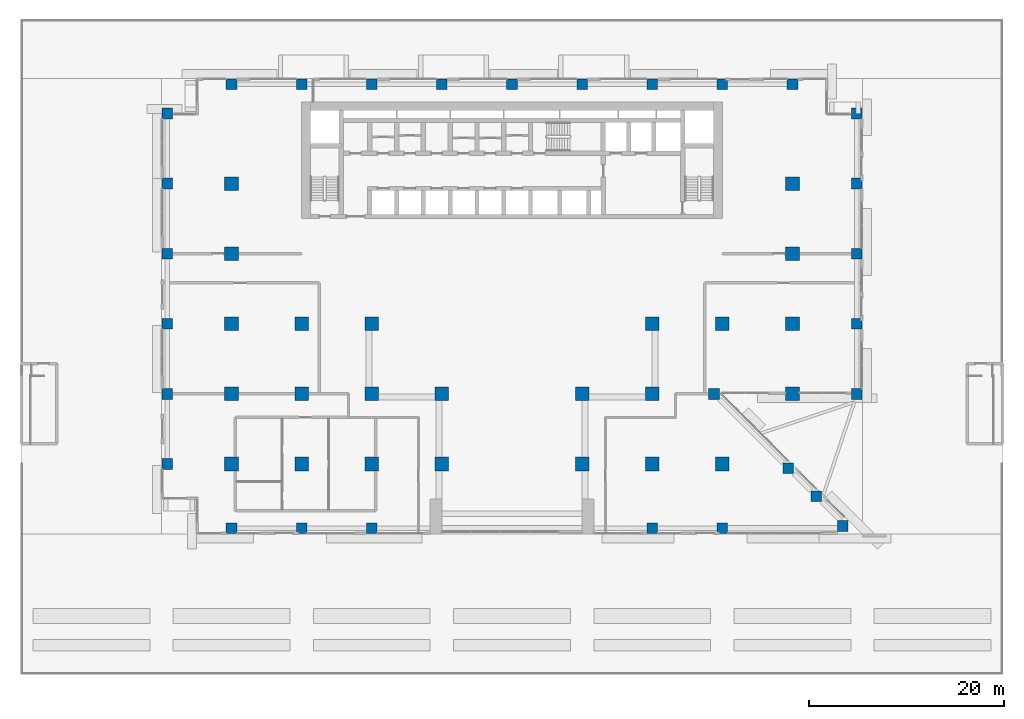
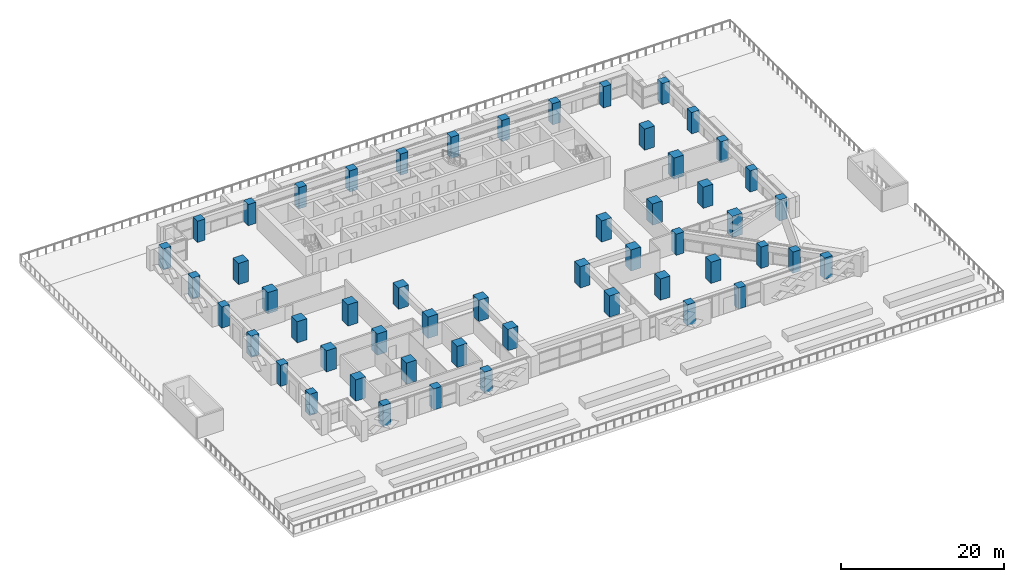
# One storey, part 1 of 24: 53 columns.
"""IFC4 building model written with IfcOpenShell, lengths in metres."""

from ifc_helpers import new_model, si_unit, direction, frame, origin, origin_2d, place, context, subcontext, project, spatial, rectangle, extrude, source, transform, mapped, material, material_profile, profile_set, type_object, element, save


model = new_model("IFC4")

# Units and contexts
model_context = context("Model", 3, precision=1e-05, world=origin(), true_north=direction((0.0, 1.0)))
body_context = subcontext(model_context, "Body", "Model", "MODEL_VIEW")
ifc_project = project(units=[si_unit("LENGTHUNIT", "METRE"), si_unit("AREAUNIT", "SQUARE_METRE"), si_unit("VOLUMEUNIT", "CUBIC_METRE"), si_unit("PLANEANGLEUNIT", "RADIAN"), si_unit("MASSUNIT", "GRAM", prefix="KILO")], contexts=[model_context])

# Site, building, storey
site_placement = place(None, origin())
site = spatial("IfcSite", under=ifc_project, at=site_placement, CompositionType="ELEMENT")
building_placement = place(site_placement, origin())
building = spatial("IfcBuilding", under=site, at=building_placement, Name="Saffron Iwan Residences", CompositionType="ELEMENT")
storey_placement = place(building_placement, frame((0.0, 0.0, 27.0)))
storey = spatial("IfcBuildingStorey", under=building, at=storey_placement, Name="L05", CompositionType="ELEMENT", Elevation=27.0)

# Columns
ifc_material = material(Name="Concrete C60/75", Category="concrete")
ifc_material_profile_1 = material_profile(ifc_material, rectangle(XDim=1.10009765625, YDim=1.10009765625, at=origin_2d()), Name="RC 1100x1100")
ifc_profile_set_1 = profile_set([ifc_material_profile_1], Name="Concrete C60/75")
column_type_1 = type_object("IfcColumnType", Name="COL RC 1100x1100 C60/75 3180 HIGH", PredefinedType="COLUMN", material=ifc_profile_set_1)
shared_shape_1 = source(origin(), body_context, "Body", "SweptSolid", [
    extrude(rectangle(XDim=1.10009765625, YDim=1.10009765625, at=origin_2d()), origin(), (0.0, 0.0, 1.0), 3.179931640625),
])
for number, where, z_axis, x_axis, name in (
    (1, (21.60009765625, 34.199951171875, 0.0), (0.0, 0.0, 1.0), (1.0, 0.0, 0.0), "Column C038"),
    (2, (28.800048828125, 34.199951171875, 0.0), (0.0, 0.0, 1.0), (1.0, 0.0, 0.0), "Column C039"),
    (3, (36.0, 34.199951171875, 0.0), (0.0, 0.0, 1.0), (1.0, 0.0, 0.0), "Column C040"),
    (4, (64.800048828125, 34.199951171875, 0.0), (0.0, 0.0, 1.0), (1.0, 0.0, 0.0), "Column C041"),
    (5, (72.0, 34.199951171875, 0.0), (0.0, 0.0, 1.0), (1.0, 0.0, 0.0), "Column C042"),
    (6, (84.367431640625, 34.44189453125, 0.0), (0.0, 0.0, 1.0), (1.0, 0.0, 0.0), "Column C043"),
    (7, (81.65576171875, 37.49560546875, 0.0), (0.0, 0.0, 1.0), (1.0, 0.0, 0.0), "Column C044"),
    (8, (78.775634765625, 40.375732421875, 0.0), (0.0, 0.0, 1.0), (1.0, 0.0, 0.0), "Column C047"),
    (9, (15.0, 40.800048828125, 0.0), (0.0, 0.0, 1.0), (1.0, 0.0, 0.0), "Column C048"),
    (10, (15.0, 48.0, 0.0), (0.0, 0.0, 1.0), (1.0, 0.0, 0.0), "Column C061"),
    (11, (71.14990234375, 48.0, 0.0), (0.0, 0.0, 1.0), (1.0, 0.0, 0.0), "Column C070"),
    (12, (85.800048828125, 48.0, 0.0), (0.0, 0.0, 1.0), (1.0, 0.0, 0.0), "Column C074"),
    (13, (15.0, 55.199951171875, 0.0), (0.0, 0.0, 1.0), (1.0, 0.0, 0.0), "Column C077"),
    (14, (85.800048828125, 55.199951171875, 0.0), (0.0, 0.0, 1.0), (1.0, 0.0, 0.0), "Column C086"),
    (15, (15.0, 62.39990234375, 0.0), (0.0, 0.0, 1.0), (1.0, 0.0, 0.0), "Column C089"),
    (16, (85.800048828125, 62.39990234375, 0.0), (0.0, 0.0, 1.0), (1.0, 0.0, 0.0), "Column C094"),
    (17, (15.0, 69.60009765625, 0.0), (0.0, 0.0, 1.0), (1.0, 0.0, 0.0), "Column C097"),
    (18, (85.800048828125, 69.60009765625, 0.0), (0.0, 0.0, 1.0), (1.0, 0.0, 0.0), "Column C102"),
    (19, (15.0, 76.800048828125, 0.0), (0.0, 0.0, 1.0), (1.0, 0.0, 0.0), "Column C105"),
    (20, (85.800048828125, 76.800048828125, 0.0), (0.0, 0.0, 1.0), (1.0, 0.0, 0.0), "Column C110"),
    (21, (21.60009765625, 79.800048828125, 0.0), (0.0, 0.0, 1.0), (1.0, 0.0, 0.0), "Column C113"),
    (22, (28.800048828125, 79.800048828125, 0.0), (0.0, 0.0, 1.0), (1.0, 0.0, 0.0), "Column C115"),
    (23, (36.0, 79.800048828125, 0.0), (0.0, 0.0, 1.0), (1.0, 0.0, 0.0), "Column C116"),
    (24, (43.199951171875, 79.800048828125, 0.0), (0.0, 0.0, 1.0), (1.0, 0.0, 0.0), "Column C117"),
    (25, (50.39990234375, 79.800048828125, 0.0), (0.0, 0.0, 1.0), (1.0, 0.0, 0.0), "Column C118"),
    (26, (57.60009765625, 79.800048828125, 0.0), (0.0, 0.0, 1.0), (1.0, 0.0, 0.0), "Column C119"),
    (27, (64.800048828125, 79.800048828125, 0.0), (0.0, 0.0, 1.0), (1.0, 0.0, 0.0), "Column C120"),
    (28, (72.0, 79.800048828125, 0.0), (0.0, 0.0, 1.0), (1.0, 0.0, 0.0), "Column C121"),
    (29, (79.199951171875, 79.800048828125, 0.0), (0.0, 0.0, 1.0), (1.0, 0.0, 0.0), "Column C123"),
):
    element("IfcColumn", number, at=place(storey_placement, frame(where, z_axis=z_axis, x_axis=x_axis)), inside=storey, type_object=column_type_1, Name=name, PredefinedType="COLUMN", context=body_context, shape_type="MappedRepresentation", body=[
        mapped(shared_shape_1, transform((0.0, 0.0, 0.0))),
    ])
ifc_material_profile_2 = material_profile(ifc_material, rectangle(XDim=1.39990234375, YDim=1.39990234375, at=origin_2d()), Name="RC 1400x1400")
ifc_profile_set_2 = profile_set([ifc_material_profile_2], Name="Concrete C60/75")
column_type_2 = type_object("IfcColumnType", Name="COL RC 1400x1400 C60/75 3180 HIGH", PredefinedType="COLUMN", material=ifc_profile_set_2)
shared_shape_2 = source(origin(), body_context, "Body", "SweptSolid", [
    extrude(rectangle(XDim=1.39990234375, YDim=1.39990234375, at=origin_2d()), origin(), (0.0, 0.0, 1.0), 3.179931640625),
])
for number, where, z_axis, x_axis, name in (
    (30, (21.60009765625, 40.800048828125, 0.0), (0.0, 0.0, 1.0), (1.0, 0.0, 0.0), "Column C049"),
    (31, (28.800048828125, 40.800048828125, 0.0), (0.0, 0.0, 1.0), (1.0, 0.0, 0.0), "Column C051"),
    (32, (36.0, 40.800048828125, 0.0), (0.0, 0.0, 1.0), (1.0, 0.0, 0.0), "Column C052"),
    (33, (43.199951171875, 40.800048828125, 0.0), (0.0, 0.0, 1.0), (1.0, 0.0, 0.0), "Column C053"),
    (34, (57.60009765625, 40.800048828125, 0.0), (0.0, 0.0, 1.0), (1.0, 0.0, 0.0), "Column C054"),
    (35, (64.800048828125, 40.800048828125, 0.0), (0.0, 0.0, 1.0), (1.0, 0.0, 0.0), "Column C055"),
    (36, (72.0, 40.800048828125, 0.0), (0.0, 0.0, 1.0), (1.0, 0.0, 0.0), "Column C056"),
    (37, (21.60009765625, 48.0, 0.0), (0.0, 0.0, 1.0), (1.0, 0.0, 0.0), "Column C063"),
    (38, (28.800048828125, 48.0, 0.0), (0.0, 0.0, 1.0), (1.0, 0.0, 0.0), "Column C064"),
    (39, (36.0, 48.0, 0.0), (0.0, 0.0, 1.0), (1.0, 0.0, 0.0), "Column C065"),
    (40, (43.199951171875, 48.0, 0.0), (0.0, 0.0, 1.0), (1.0, 0.0, 0.0), "Column C066"),
    (41, (57.60009765625, 48.0, 0.0), (0.0, 0.0, 1.0), (1.0, 0.0, 0.0), "Column C068"),
    (42, (64.800048828125, 48.0, 0.0), (0.0, 0.0, 1.0), (1.0, 0.0, 0.0), "Column C069"),
    (43, (79.199951171875, 48.0, 0.0), (0.0, 0.0, 1.0), (1.0, 0.0, 0.0), "Column C072"),
    (44, (21.60009765625, 55.199951171875, 0.0), (0.0, 0.0, 1.0), (1.0, 0.0, 0.0), "Column C079"),
    (45, (28.800048828125, 55.199951171875, 0.0), (0.0, 0.0, 1.0), (1.0, 0.0, 0.0), "Column C080"),
    (46, (36.0, 55.199951171875, 0.0), (0.0, 0.0, 1.0), (1.0, 0.0, 0.0), "Column C081"),
    (47, (64.800048828125, 55.199951171875, 0.0), (0.0, 0.0, 1.0), (1.0, 0.0, 0.0), "Column C082"),
    (48, (72.0, 55.199951171875, 0.0), (0.0, 0.0, 1.0), (1.0, 0.0, 0.0), "Column C083"),
    (49, (79.199951171875, 55.199951171875, 0.0), (0.0, 0.0, 1.0), (1.0, 0.0, 0.0), "Column C084"),
    (50, (21.60009765625, 62.39990234375, 0.0), (0.0, 0.0, 1.0), (1.0, 0.0, 0.0), "Column C091"),
    (51, (79.199951171875, 62.39990234375, 0.0), (0.0, 0.0, 1.0), (1.0, 0.0, 0.0), "Column C092"),
    (52, (21.60009765625, 69.60009765625, 0.0), (0.0, 0.0, 1.0), (1.0, 0.0, 0.0), "Column C099"),
    (53, (79.199951171875, 69.60009765625, 0.0), (0.0, 0.0, 1.0), (1.0, 0.0, 0.0), "Column C100"),
):
    element("IfcColumn", number, at=place(storey_placement, frame(where, z_axis=z_axis, x_axis=x_axis)), inside=storey, type_object=column_type_2, Name=name, PredefinedType="COLUMN", context=body_context, shape_type="MappedRepresentation", body=[
        mapped(shared_shape_2, transform((0.0, 0.0, 0.0))),
    ])

save(model, "model.ifc")
